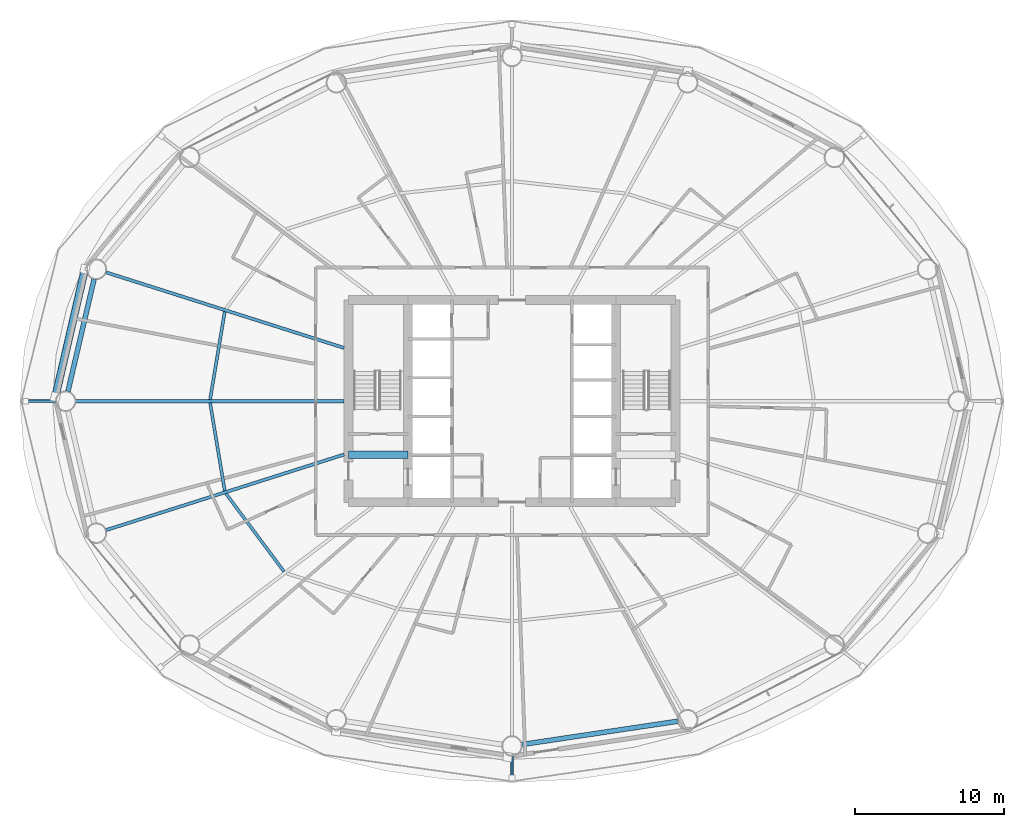
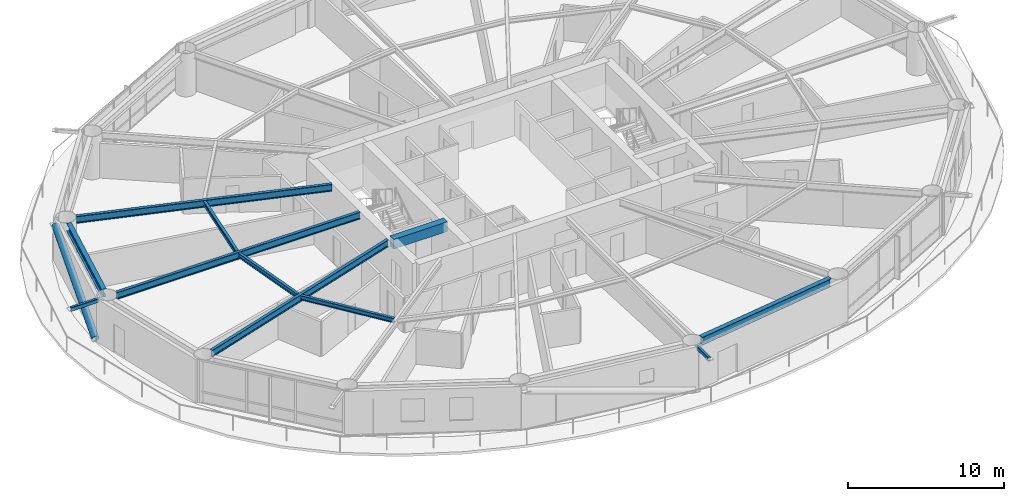
# One storey, part 5 of 26: 9 beams, 3 members.
"""IFC4 building model written with IfcOpenShell, lengths in metres."""

from ifc_helpers import new_model, si_unit, direction, frame, origin, origin_2d, place, context, subcontext, project, spatial, rectangle, hollow_rectangle, hollow_circle, i_section, extrude, material, material_profile, profile_set, type_object, element, save


model = new_model("IFC4")

# Units and contexts
model_context = context("Model", 3, precision=1e-05, world=origin(), true_north=direction((0.0, 1.0)))
body_context = subcontext(model_context, "Body", "Model", "MODEL_VIEW")
ifc_project = project(units=[si_unit("LENGTHUNIT", "METRE"), si_unit("AREAUNIT", "SQUARE_METRE"), si_unit("VOLUMEUNIT", "CUBIC_METRE"), si_unit("PLANEANGLEUNIT", "RADIAN"), si_unit("MASSUNIT", "GRAM", prefix="KILO")], contexts=[model_context])

# Site, building, storey
site_placement = place(None, origin())
site = spatial("IfcSite", under=ifc_project, at=site_placement, CompositionType="ELEMENT")
building_placement = place(site_placement, origin())
building = spatial("IfcBuilding", under=site, at=building_placement, Name="Sarneth Arch Tower", CompositionType="ELEMENT")
storey_placement = place(building_placement, frame((0.0, 0.0, 42.60009765625)))
storey = spatial("IfcBuildingStorey", under=building, at=storey_placement, Name="L09", CompositionType="ELEMENT", Elevation=42.60009765625)

# Beams
ifc_material_1 = material(Name="Steel S355", Category="steel")
ifc_material_profile_1 = material_profile(ifc_material_1, i_section(OverallWidth=0.2041015625, OverallDepth=0.35009765625, WebThickness=0.008544921875, FlangeThickness=0.01513671875, FilletRadius=0.014892578125, at=origin_2d()), Name="W360x72")
ifc_profile_set_1 = profile_set([ifc_material_profile_1], Name="Steel S355")
beam_type_1 = type_object("IfcBeamType", Name="BM-JOIST-360D", PredefinedType="JOIST", material=ifc_profile_set_1)
for number, where, z_axis, x_axis, name in (
    (1, (28.67138671875, 48.025146484375, 3.204833984375), (-0.163917352659, -0.986474075431, 0.0), (0.986474075431, -0.163917352659, 0.0), "L09 Secondary floor joist 08"),
    (2, (27.687744140625, 41.89453125, 3.204833984375), (0.163917352659, -0.986474075431, 0.0), (0.986474075431, 0.163917352659, 0.0), "L09 Secondary floor joist 09"),
):
    element("IfcBeam", number, at=place(storey_placement, frame(where, z_axis=z_axis, x_axis=x_axis)), inside=storey, type_object=beam_type_1, Name=name, PredefinedType="JOIST", context=body_context, shape_type="SweptSolid", body=[
        extrude(i_section(OverallWidth=0.2041015625, OverallDepth=0.35009765625, WebThickness=0.008544921875, FlangeThickness=0.01513671875, FilletRadius=0.014892578125, at=origin_2d()), origin(), (0.0, 0.0, 1.0), 6.000732421875),
    ])
beam_1_placement = place(storey_placement, frame((28.7529296875, 35.783447265625, 3.204833984375), z_axis=(0.597453564101, -0.801903509621, 0.0), x_axis=(0.801903509621, 0.597453564101, 0.0)))
element("IfcBeam", 3, at=beam_1_placement, inside=storey, type_object=beam_type_1, Name="L09 Secondary floor joist 10", PredefinedType="JOIST", context=body_context, shape_type="SweptSolid", body=[
    extrude(i_section(OverallWidth=0.2041015625, OverallDepth=0.35009765625, WebThickness=0.008544921875, FlangeThickness=0.01513671875, FilletRadius=0.014892578125, at=origin_2d()), origin(), (0.0, 0.0, 1.0), 6.542724609375),
])
ifc_material_2 = material(Name="Concrete C50/60", Category="concrete")
ifc_material_profile_2 = material_profile(ifc_material_2, rectangle(XDim=0.5, YDim=0.75, at=origin_2d()), Name="RC-500x750")
ifc_profile_set_2 = profile_set([ifc_material_profile_2], Name="Concrete C50/60")
beam_type_2 = type_object("IfcBeamType", Name="BM-LINTEL-RC", PredefinedType="LINTEL", material=ifc_profile_set_2)
beam_2_placement = place(storey_placement, frame((37.0, 38.39990234375, 3.0048828125), z_axis=(1.0, 0.0, 0.0), x_axis=(0.0, 1.0, 0.0)))
element("IfcBeam", 4, at=beam_2_placement, inside=storey, type_object=beam_type_2, Name="L09 Core coupling lintel W", PredefinedType="LINTEL", context=body_context, shape_type="SweptSolid", body=[
    extrude(rectangle(XDim=0.5, YDim=0.75, at=origin_2d()), origin(), (0.0, 0.0, 1.0), 4.0),
])
ifc_material_3 = material(Name="Steel S355", Category="steel")
ifc_material_profile_3 = material_profile(ifc_material_3, i_section(OverallWidth=0.214111328125, OverallDepth=0.549072265625, WebThickness=0.0146484375, FlangeThickness=0.023681640625, FilletRadius=0.01806640625, at=origin_2d()), Name="W530x138")
ifc_profile_set_3 = profile_set([ifc_material_profile_3], Name="Steel S355")
beam_type_3 = type_object("IfcBeamType", Name="BM-RAD-530A", PredefinedType="BEAM", material=ifc_profile_set_3)
beam_3_placement = place(storey_placement, frame((36.699951171875, 45.58740234375, 3.10546875), z_axis=(-0.953119945629, 0.302592744864, 0.0), x_axis=(-0.302592744864, -0.953119945629, 0.0)))
element("IfcBeam", 5, at=beam_3_placement, inside=storey, type_object=beam_type_3, Name="L09 Radial floor girder 08", PredefinedType="BEAM", context=body_context, shape_type="SweptSolid", body=[
    extrude(i_section(OverallWidth=0.214111328125, OverallDepth=0.549072265625, WebThickness=0.0146484375, FlangeThickness=0.023681640625, FilletRadius=0.01806640625, at=origin_2d()), origin(), (0.0, 0.0, 1.0), 16.810302734375),
])
beam_4_placement = place(storey_placement, frame((36.699951171875, 42.0, 3.10546875), z_axis=(-1.0, 0.0, 0.0), x_axis=(0.0, -1.0, 0.0)))
element("IfcBeam", 6, at=beam_4_placement, inside=storey, type_object=beam_type_3, Name="L09 Radial floor girder 09", PredefinedType="BEAM", context=body_context, shape_type="SweptSolid", body=[
    extrude(i_section(OverallWidth=0.214111328125, OverallDepth=0.549072265625, WebThickness=0.0146484375, FlangeThickness=0.023681640625, FilletRadius=0.01806640625, at=origin_2d()), origin(), (0.0, 0.0, 1.0), 18.059814453125),
])
beam_5_placement = place(storey_placement, frame((36.699951171875, 38.41259765625, 3.10546875), z_axis=(-0.953119945629, -0.302592744864, 0.0), x_axis=(0.302592744864, -0.953119945629, 0.0)))
element("IfcBeam", 7, at=beam_5_placement, inside=storey, type_object=beam_type_3, Name="L09 Radial floor girder 10", PredefinedType="BEAM", context=body_context, shape_type="SweptSolid", body=[
    extrude(i_section(OverallWidth=0.214111328125, OverallDepth=0.549072265625, WebThickness=0.0146484375, FlangeThickness=0.023681640625, FilletRadius=0.01806640625, at=origin_2d()), origin(), (0.0, 0.0, 1.0), 16.810302734375),
])
ifc_material_4 = material(Name="Steel S355", Category="steel")
ifc_material_profile_4 = material_profile(ifc_material_4, i_section(OverallWidth=0.326904296875, OverallDepth=0.6220703125, WebThickness=0.015380859375, FlangeThickness=0.0244140625, FilletRadius=0.01904296875, at=origin_2d()), Name="W610x195")
ifc_profile_set_4 = profile_set([ifc_material_profile_4], Name="Steel S355")
beam_type_4 = type_object("IfcBeamType", Name="BM-SPAN-610A", PredefinedType="SPANDREL", material=ifc_profile_set_4)
beam_6_placement = place(storey_placement, frame((19.88134765625, 50.220947265625, 3.06884765625), z_axis=(-0.227001042423, -0.973894515201, 0.0), x_axis=(0.973894515201, -0.227001042423, 0.0)))
element("IfcBeam", 8, at=beam_6_placement, inside=storey, type_object=beam_type_4, Name="L09 Perimeter spandrel beam 08", PredefinedType="SPANDREL", context=body_context, shape_type="SweptSolid", body=[
    extrude(i_section(OverallWidth=0.326904296875, OverallDepth=0.6220703125, WebThickness=0.015380859375, FlangeThickness=0.0244140625, FilletRadius=0.01904296875, at=origin_2d()), origin(), (0.0, 0.0, 1.0), 7.76611328125),
])
beam_7_placement = place(storey_placement, frame((48.66748046875, 18.899658203125, 3.06884765625), z_axis=(0.989015788086, 0.147809914809, 0.0), x_axis=(-0.147809914809, 0.989015788086, 0.0)))
element("IfcBeam", 9, at=beam_7_placement, inside=storey, type_object=beam_type_4, Name="L09 Perimeter spandrel beam 13", PredefinedType="SPANDREL", context=body_context, shape_type="SweptSolid", body=[
    extrude(i_section(OverallWidth=0.326904296875, OverallDepth=0.6220703125, WebThickness=0.015380859375, FlangeThickness=0.0244140625, FilletRadius=0.01904296875, at=origin_2d()), origin(), (0.0, 0.0, 1.0), 10.59912109375),
])

# Members
ifc_material_5 = material(Name="Steel S355", Category="steel")
ifc_material_profile_5 = material_profile(ifc_material_5, hollow_rectangle(XDim=0.199951171875, YDim=0.300048828125, WallThickness=0.012451171875, InnerFilletRadius=0.018798828125, OuterFilletRadius=0.03125, at=origin_2d()), Name="RHS300x200x12.5")
ifc_profile_set_5 = profile_set([ifc_material_profile_5], Name="Steel S355")
member_type_1 = type_object("IfcMemberType", Name="MEM-CANT-STRUT", PredefinedType="STRUT", material=ifc_profile_set_5)
member_1_placement = place(storey_placement, frame((17.290283203125, 42.0, 3.219970703125), z_axis=(-1.0, 0.0, 0.0), x_axis=(0.0, -1.0, 0.0)))
element("IfcMember", 10, at=member_1_placement, inside=storey, type_object=member_type_1, Name="L09 Balcony cantilever bracket 09", PredefinedType="STRUT", context=body_context, shape_type="SweptSolid", body=[
    extrude(hollow_rectangle(XDim=0.199951171875, YDim=0.300048828125, WallThickness=0.012451171875, InnerFilletRadius=0.018798828125, OuterFilletRadius=0.03125, at=origin_2d()), origin(), (0.0, 0.0, 1.0), 2.02099609375),
])
member_2_placement = place(storey_placement, frame((48.0, 18.125, 3.219970703125), z_axis=(0.0, -1.0, 0.0), x_axis=(1.0, 0.0, 0.0)))
element("IfcMember", 11, at=member_2_placement, inside=storey, type_object=member_type_1, Name="L09 Balcony cantilever bracket 13", PredefinedType="STRUT", context=body_context, shape_type="SweptSolid", body=[
    extrude(hollow_rectangle(XDim=0.199951171875, YDim=0.300048828125, WallThickness=0.012451171875, InnerFilletRadius=0.018798828125, OuterFilletRadius=0.03125, at=origin_2d()), origin(), (0.0, 0.0, 1.0), 1.479248046875),
])
ifc_material_6 = material(Name="Steel S355", Category="steel")
ifc_material_profile_6 = material_profile(ifc_material_6, hollow_circle(Radius=0.25390625, WallThickness=0.01611328125, at=origin_2d()), Name="CHS508x16")
ifc_profile_set_6 = profile_set([ifc_material_profile_6], Name="Steel S355")
member_type_2 = type_object("IfcMemberType", Name="MEM-DIAG-BR1", PredefinedType="BRACE", material=ifc_profile_set_6)
member_3_placement = place(storey_placement, frame((17.274658203125, 42.292236328125, 0.02001953125), z_axis=(0.213334102296, 0.922822074264, 0.320761562609), x_axis=(-0.974304339016, 0.225235554419, 0.0)))
element("IfcMember", 12, at=member_3_placement, inside=storey, type_object=member_type_2, Name="L09 Perimeter frame diagonal 08", PredefinedType="BRACE", context=body_context, shape_type="SweptSolid", body=[
    extrude(hollow_circle(Radius=0.25390625, WallThickness=0.01611328125, at=origin_2d()), origin(), (0.0, 0.0, 1.0), 9.310791015625),
])

save(model, "model.ifc")
